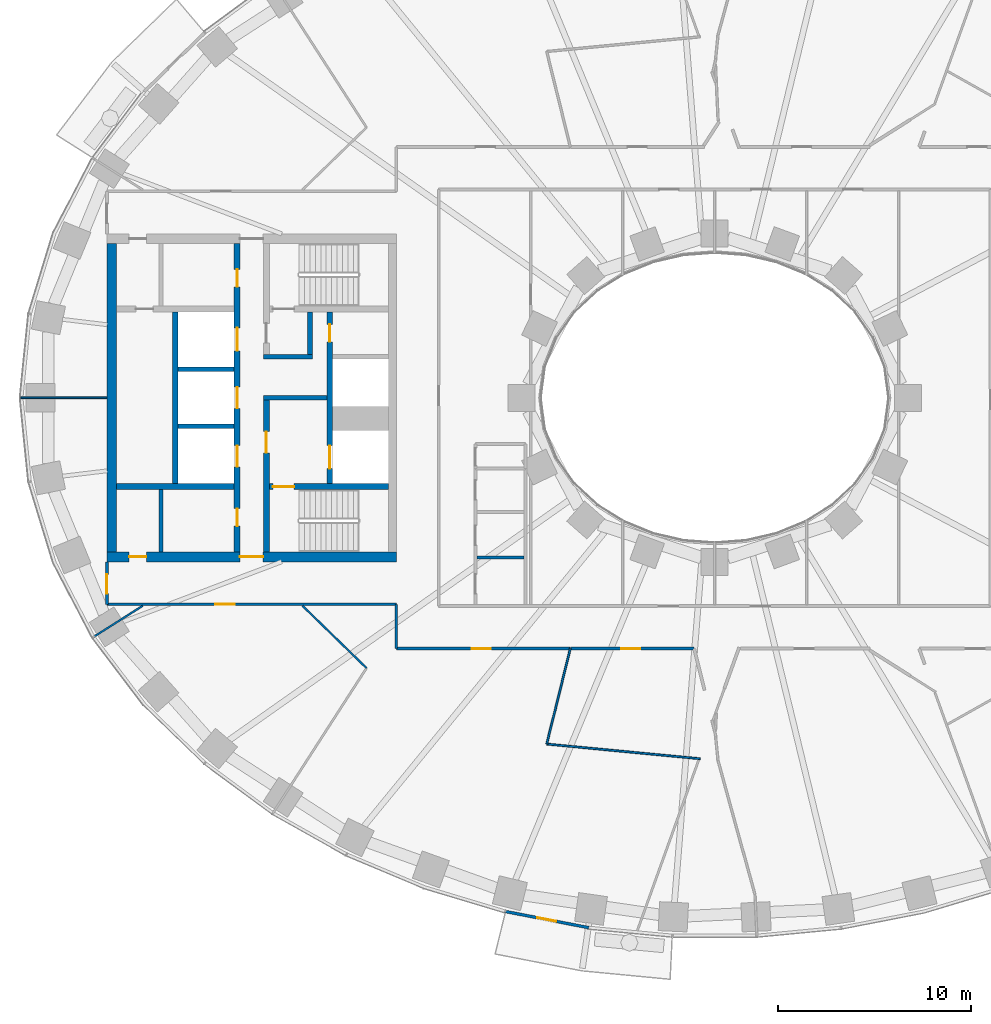
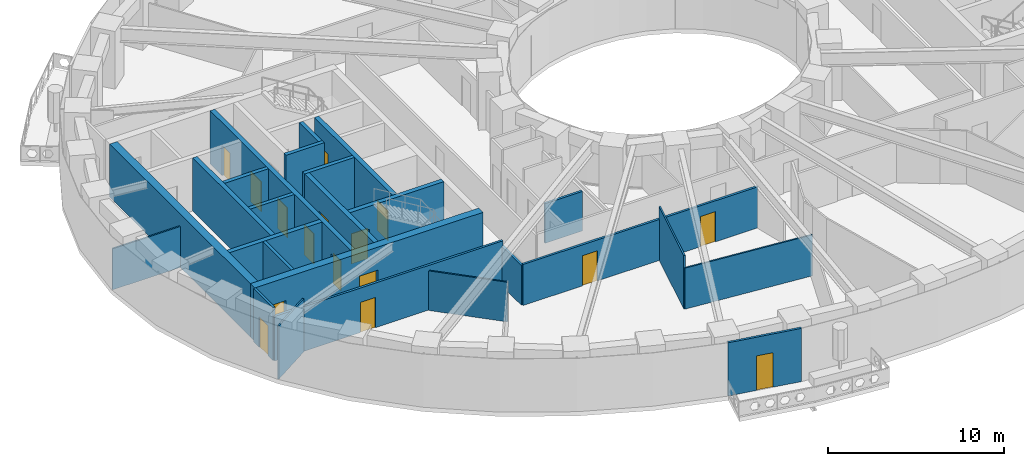
# One storey, part 3 of 16: 26 walls, 16 doors, 16 openings.
"""IFC4 building model written with IfcOpenShell, lengths in metres."""

from ifc_helpers import new_model, si_unit, direction, frame, frame_2d, origin, place, context, subcontext, project, spatial, rectangle, extrude, material, layer, layer_set, type_object, element, fill, save


model = new_model("IFC4")

# Units and contexts
model_context = context("Model", 3, precision=1e-05, world=origin(), true_north=direction((0.0, 1.0)))
body_context = subcontext(model_context, "Body", "Model", "MODEL_VIEW")
ifc_project = project(units=[si_unit("LENGTHUNIT", "METRE"), si_unit("AREAUNIT", "SQUARE_METRE"), si_unit("VOLUMEUNIT", "CUBIC_METRE"), si_unit("PLANEANGLEUNIT", "RADIAN"), si_unit("MASSUNIT", "GRAM", prefix="KILO")], contexts=[model_context])

# Site, building, storey
site_placement = place(None, origin())
site = spatial("IfcSite", under=ifc_project, at=site_placement, CompositionType="ELEMENT")
building_placement = place(site_placement, origin())
building = spatial("IfcBuilding", under=site, at=building_placement, Name="Noorbagh Ring Tower", CompositionType="ELEMENT")
storey_placement = place(building_placement, frame((0.0, 0.0, 46.5)))
storey = spatial("IfcBuildingStorey", under=building, at=storey_placement, Name="L09", CompositionType="ELEMENT", Elevation=46.5)

# Walls
ifc_material_1 = material(Name="Gypsum board on steel studs", Category="steel")
ifc_layer_1 = layer(ifc_material_1, 0.199951171875)
ifc_layer_set_1 = layer_set([ifc_layer_1], Name="Gypsum board on steel studs")
wall_type_1 = type_object("IfcWallType", Name="CORE-PARTITION-200", PredefinedType="PARTITIONING", material=ifc_layer_set_1)
wall_1_placement = place(storey_placement, frame((-28.699951171875, -8.0, 0.0), z_axis=(0.0, 0.0, 1.0), x_axis=(0.0, 1.0, 0.0)))
element("IfcWall", 1, at=wall_1_placement, inside=storey, type_object=wall_type_1, Name="Core partition W", PredefinedType="PARTITIONING", context=body_context, shape_type="SweptSolid", body=[
    extrude(rectangle(XDim=3.25, YDim=0.199951171875, at=frame_2d((1.625, 0.0))), origin(), (0.0, 0.0, 1.0), 3.699951171875),
])
ifc_material_2 = material(Name="Concrete C70/85", Category="concrete")
ifc_layer_2 = layer(ifc_material_2, 0.25)
ifc_layer_set_2 = layer_set([ifc_layer_2], Name="Concrete C70/85")
wall_type_2 = type_object("IfcWallType", Name="CORE-WALL-250-C70-85-EI120", PredefinedType="SHEAR", material=ifc_layer_set_2)
for number, where, z_axis, x_axis, name in (
    (2, (-24.89990234375, -1.47509765625, 0.0), (0.0, 0.0, 1.0), (-1.0, 0.0, 0.0), "Core wall W"),
    (3, (-24.89990234375, 1.47509765625, 0.0), (0.0, 0.0, 1.0), (-1.0, 0.0, 0.0), "Core wall W"),
):
    element("IfcWall", number, at=place(storey_placement, frame(where, z_axis=z_axis, x_axis=x_axis)), inside=storey, type_object=wall_type_2, Name=name, PredefinedType="SHEAR", context=body_context, shape_type="SweptSolid", body=[
        extrude(rectangle(XDim=2.900146484375, YDim=0.25, at=frame_2d((1.4501953125, 0.0))), origin(), (0.0, 0.0, 1.0), 3.699951171875),
    ])
ifc_material_3 = material(Name="Concrete C70/85", Category="concrete")
ifc_layer_3 = layer(ifc_material_3, 0.25)
ifc_layer_set_3 = layer_set([ifc_layer_3], Name="Concrete C70/85")
wall_type_3 = type_object("IfcWallType", Name="CORE-WALL-250-C70-85-EI240", PredefinedType="SHEAR", material=ifc_layer_set_3)
wall_2_placement = place(storey_placement, frame((-20.10009765625, 0.0, 0.0), z_axis=(0.0, 0.0, 1.0), x_axis=(-1.0, 0.0, 0.0)))
element("IfcWall", 4, at=wall_2_placement, inside=storey, type_object=wall_type_3, Name="Core wall W", PredefinedType="SHEAR", context=body_context, shape_type="SweptSolid", body=[
    extrude(rectangle(XDim=3.27978515625, YDim=0.25, at=frame_2d((1.639892578125, 0.0))), origin(), (0.0, 0.0, 1.0), 3.699951171875),
])
wall_3_placement = place(storey_placement, frame((-20.85009765625, 2.125, 0.0), z_axis=(0.0, 0.0, 1.0), x_axis=(-1.0, 0.0, 0.0)))
element("IfcWall", 5, at=wall_3_placement, inside=storey, type_object=wall_type_3, Name="Core wall W", PredefinedType="SHEAR", context=body_context, shape_type="SweptSolid", body=[
    extrude(rectangle(XDim=2.52978515625, YDim=0.25, at=frame_2d((1.264892578125, 0.0))), origin(), (0.0, 0.0, 1.0), 3.699951171875),
])
wall_4_placement = place(storey_placement, frame((-20.97509765625, 2.25, 0.0), z_axis=(0.0, 0.0, 1.0), x_axis=(0.0, 1.0, 0.0)))
element("IfcWall", 6, at=wall_4_placement, inside=storey, type_object=wall_type_3, Name="Core wall W", PredefinedType="SHEAR", context=body_context, shape_type="SweptSolid", body=[
    extrude(rectangle(XDim=2.199951171875, YDim=0.25, at=frame_2d((1.10009765625, 0.0))), origin(), (0.0, 0.0, 1.0), 3.699951171875),
])
ifc_material_4 = material(Name="Concrete C70/85", Category="concrete")
ifc_layer_4 = layer(ifc_material_4, 0.300048828125)
ifc_layer_set_4 = layer_set([ifc_layer_4], Name="Concrete C70/85")
wall_type_4 = type_object("IfcWallType", Name="CORE-WALL-300-C70-85-EI120", PredefinedType="SHEAR", material=ifc_layer_set_4)
wall_5_placement = place(storey_placement, frame((-27.949951171875, -4.449951171875, 0.0), z_axis=(0.0, 0.0, 1.0), x_axis=(0.0, 1.0, 0.0)))
element("IfcWall", 7, at=wall_5_placement, inside=storey, type_object=wall_type_4, Name="Core wall W", PredefinedType="SHEAR", context=body_context, shape_type="SweptSolid", body=[
    extrude(rectangle(XDim=8.89990234375, YDim=0.300048828125, at=frame_2d((4.449951171875, 0.0))), origin(), (0.0, 0.0, 1.0), 3.699951171875),
])

# Wall, openings, doors
wall_6_placement = place(storey_placement, frame((-19.949951171875, -4.449951171875, 0.0), z_axis=(0.0, 0.0, 1.0), x_axis=(0.0, 1.0, 0.0)))
wall_6 = element("IfcWall", 8, at=wall_6_placement, inside=storey, type_object=wall_type_4, Name="Core wall W", PredefinedType="SHEAR", context=body_context, shape_type="SweptSolid", body=[
    extrude(rectangle(XDim=8.89990234375, YDim=0.300048828125, at=frame_2d((4.449951171875, 0.0))), origin(), (0.0, 0.0, 1.0), 3.699951171875),
])
opening_1_placement = place(wall_6_placement, frame((0.77490234375, 0.0, 0.0)))
opening_1 = element("IfcOpeningElement", 9, at=opening_1_placement, cuts=wall_6, Name="Opening L09-CW01", PredefinedType="OPENING", context=body_context, shape_type="SweptSolid", body=[
    extrude(rectangle(XDim=1.199951171875, YDim=2.10009765625, at=frame_2d((0.60009765625, 1.050048828125))), frame((0.0, 0.16015625, 0.0), z_axis=(0.0, -1.0, 0.0), x_axis=(1.0, 0.0, 0.0)), (0.0, 0.0, 1.0), 0.320068359375),
])
opening_2_placement = place(wall_6_placement, frame((7.35009765625, 0.0, 0.0)))
opening_2 = element("IfcOpeningElement", 10, at=opening_2_placement, cuts=wall_6, Name="Opening L09-CW11", PredefinedType="OPENING", context=body_context, shape_type="SweptSolid", body=[
    extrude(rectangle(XDim=0.89990234375, YDim=2.10009765625, at=frame_2d((0.449951171875, 1.050048828125))), frame((0.0, 0.16015625, 0.0), z_axis=(0.0, -1.0, 0.0), x_axis=(1.0, 0.0, 0.0)), (0.0, 0.0, 1.0), 0.320068359375),
])
ifc_material_5 = material(Name="Steel door leaf", Category="steel")
door_type_1 = type_object("IfcDoorType", Name="CORE-DOOR-DROOM", OperationType="SINGLE_SWING_LEFT", PredefinedType="DOOR", material=ifc_material_5)
door_1_placement = place(opening_2_placement, origin())
door_1 = element("IfcDoor", 11, at=door_1_placement, inside=storey, type_object=door_type_1, Name="Core room door L09-CW11", OperationType="SINGLE_SWING_LEFT", OverallHeight=2.10009765625, OverallWidth=0.89990234375, PredefinedType="DOOR", context=body_context, shape_type="SweptSolid", body=[
    extrude(rectangle(XDim=0.89990234375, YDim=2.10009765625, at=frame_2d((0.449951171875, 1.050048828125))), frame((0.0, 0.02490234375, 0.0), z_axis=(0.0, -1.0, 0.0), x_axis=(1.0, 0.0, 0.0)), (0.0, 0.0, 1.0), 0.050048828125),
])
fill(opening_2, door_1)
ifc_material_6 = material(Name="Steel door leaf", Category="steel")
door_type_2 = type_object("IfcDoorType", Name="CORE-DOOR-LDW", OperationType="DOUBLE_DOOR_SLIDING", PredefinedType="DOOR", material=ifc_material_6)
door_2_placement = place(opening_1_placement, origin())
door_2 = element("IfcDoor", 12, at=door_2_placement, inside=storey, type_object=door_type_2, Name="Landing door FF1 L09-CW01", OperationType="DOUBLE_DOOR_SLIDING", OverallHeight=2.10009765625, OverallWidth=1.199951171875, PredefinedType="DOOR", context=body_context, shape_type="SweptSolid", body=[
    extrude(rectangle(XDim=1.199951171875, YDim=2.10009765625, at=frame_2d((0.60009765625, 1.050048828125))), frame((0.0, 0.02490234375, 0.0), z_axis=(0.0, -1.0, 0.0), x_axis=(1.0, 0.0, 0.0)), (0.0, 0.0, 1.0), 0.050048828125),
])
fill(opening_1, door_2)

wall_7_placement = place(storey_placement, frame((-24.75, -8.0, 0.0), z_axis=(0.0, 0.0, 1.0), x_axis=(0.0, 1.0, 0.0)))
wall_7 = element("IfcWall", 13, at=wall_7_placement, inside=storey, type_object=wall_type_4, Name="Core wall W", PredefinedType="SHEAR", context=body_context, shape_type="SweptSolid", body=[
    extrude(rectangle(XDim=16.0, YDim=0.300048828125, at=frame_2d((8.0, 0.0))), origin(), (0.0, 0.0, 1.0), 3.699951171875),
])
opening_3_placement = place(wall_7_placement, frame((4.425048828125, 0.0, 0.0)))
opening_3 = element("IfcOpeningElement", 14, at=opening_3_placement, cuts=wall_7, Name="Opening L09-CW02", PredefinedType="OPENING", context=body_context, shape_type="SweptSolid", body=[
    extrude(rectangle(XDim=1.10009765625, YDim=2.10009765625, at=frame_2d((0.550048828125, 1.050048828125))), frame((0.0, 0.16015625, 0.0), z_axis=(0.0, -1.0, 0.0), x_axis=(1.0, 0.0, 0.0)), (0.0, 0.0, 1.0), 0.320068359375),
])
opening_4_placement = place(wall_7_placement, frame((7.449951171875, 0.0, 0.0)))
opening_4 = element("IfcOpeningElement", 15, at=opening_4_placement, cuts=wall_7, Name="Opening L09-CW03", PredefinedType="OPENING", context=body_context, shape_type="SweptSolid", body=[
    extrude(rectangle(XDim=1.10009765625, YDim=2.10009765625, at=frame_2d((0.550048828125, 1.050048828125))), frame((0.0, 0.16015625, 0.0), z_axis=(0.0, -1.0, 0.0), x_axis=(1.0, 0.0, 0.0)), (0.0, 0.0, 1.0), 0.320068359375),
])
opening_5_placement = place(wall_7_placement, frame((10.425048828125, 0.0, 0.0)))
opening_5 = element("IfcOpeningElement", 16, at=opening_5_placement, cuts=wall_7, Name="Opening L09-CW04", PredefinedType="OPENING", context=body_context, shape_type="SweptSolid", body=[
    extrude(rectangle(XDim=1.199951171875, YDim=2.10009765625, at=frame_2d((0.60009765625, 1.050048828125))), frame((0.0, 0.16015625, 0.0), z_axis=(0.0, -1.0, 0.0), x_axis=(1.0, 0.0, 0.0)), (0.0, 0.0, 1.0), 0.320068359375),
])
opening_6_placement = place(wall_7_placement, frame((13.75, 0.0, 0.0)))
opening_6 = element("IfcOpeningElement", 17, at=opening_6_placement, cuts=wall_7, Name="Opening L09-CW12", PredefinedType="OPENING", context=body_context, shape_type="SweptSolid", body=[
    extrude(rectangle(XDim=0.89990234375, YDim=2.10009765625, at=frame_2d((0.449951171875, 1.050048828125))), frame((0.0, 0.16015625, 0.0), z_axis=(0.0, -1.0, 0.0), x_axis=(1.0, 0.0, 0.0)), (0.0, 0.0, 1.0), 0.320068359375),
])
opening_7_placement = place(wall_7_placement, frame((1.35009765625, 0.0, 0.0)))
opening_7 = element("IfcOpeningElement", 18, at=opening_7_placement, cuts=wall_7, Name="Opening L09-CW14", PredefinedType="OPENING", context=body_context, shape_type="SweptSolid", body=[
    extrude(rectangle(XDim=0.89990234375, YDim=2.10009765625, at=frame_2d((0.449951171875, 1.050048828125))), frame((0.0, 0.16015625, 0.0), z_axis=(0.0, -1.0, 0.0), x_axis=(1.0, 0.0, 0.0)), (0.0, 0.0, 1.0), 0.320068359375),
])
door_3_placement = place(opening_6_placement, origin())
door_3 = element("IfcDoor", 19, at=door_3_placement, inside=storey, type_object=door_type_1, Name="Core room door L09-CW12", OperationType="SINGLE_SWING_RIGHT", OverallHeight=2.10009765625, OverallWidth=0.89990234375, PredefinedType="DOOR", context=body_context, shape_type="SweptSolid", body=[
    extrude(rectangle(XDim=0.89990234375, YDim=2.10009765625, at=frame_2d((0.449951171875, 1.050048828125))), frame((0.0, 0.02490234375, 0.0), z_axis=(0.0, -1.0, 0.0), x_axis=(1.0, 0.0, 0.0)), (0.0, 0.0, 1.0), 0.050048828125),
])
fill(opening_6, door_3)
door_4_placement = place(opening_7_placement, origin())
door_4 = element("IfcDoor", 20, at=door_4_placement, inside=storey, type_object=door_type_1, Name="Core room door L09-CW14", OperationType="SINGLE_SWING_LEFT", OverallHeight=2.10009765625, OverallWidth=0.89990234375, PredefinedType="DOOR", context=body_context, shape_type="SweptSolid", body=[
    extrude(rectangle(XDim=0.89990234375, YDim=2.10009765625, at=frame_2d((0.449951171875, 1.050048828125))), frame((0.0, 0.02490234375, 0.0), z_axis=(0.0, -1.0, 0.0), x_axis=(1.0, 0.0, 0.0)), (0.0, 0.0, 1.0), 0.050048828125),
])
fill(opening_7, door_4)
ifc_material_7 = material(Name="Steel door leaf", Category="steel")
door_type_3 = type_object("IfcDoorType", Name="CORE-DOOR-LD", OperationType="DOUBLE_DOOR_SLIDING", PredefinedType="DOOR", material=ifc_material_7)
door_5_placement = place(opening_3_placement, origin())
door_5 = element("IfcDoor", 21, at=door_5_placement, inside=storey, type_object=door_type_3, Name="Landing door LR1 L09-CW02", OperationType="DOUBLE_DOOR_SLIDING", OverallHeight=2.10009765625, OverallWidth=1.10009765625, PredefinedType="DOOR", context=body_context, shape_type="SweptSolid", body=[
    extrude(rectangle(XDim=1.10009765625, YDim=2.10009765625, at=frame_2d((0.550048828125, 1.050048828125))), frame((0.0, 0.02490234375, 0.0), z_axis=(0.0, -1.0, 0.0), x_axis=(1.0, 0.0, 0.0)), (0.0, 0.0, 1.0), 0.050048828125),
])
fill(opening_3, door_5)
door_6_placement = place(opening_4_placement, origin())
door_6 = element("IfcDoor", 22, at=door_6_placement, inside=storey, type_object=door_type_3, Name="Landing door LR2 L09-CW03", OperationType="DOUBLE_DOOR_SLIDING", OverallHeight=2.10009765625, OverallWidth=1.10009765625, PredefinedType="DOOR", context=body_context, shape_type="SweptSolid", body=[
    extrude(rectangle(XDim=1.10009765625, YDim=2.10009765625, at=frame_2d((0.550048828125, 1.050048828125))), frame((0.0, 0.02490234375, 0.0), z_axis=(0.0, -1.0, 0.0), x_axis=(1.0, 0.0, 0.0)), (0.0, 0.0, 1.0), 0.050048828125),
])
fill(opening_4, door_6)
door_7_placement = place(opening_5_placement, origin())
door_7 = element("IfcDoor", 23, at=door_7_placement, inside=storey, type_object=door_type_2, Name="Landing door SV1 L09-CW04", OperationType="DOUBLE_DOOR_SLIDING", OverallHeight=2.10009765625, OverallWidth=1.199951171875, PredefinedType="DOOR", context=body_context, shape_type="SweptSolid", body=[
    extrude(rectangle(XDim=1.199951171875, YDim=2.10009765625, at=frame_2d((0.60009765625, 1.050048828125))), frame((0.0, 0.02490234375, 0.0), z_axis=(0.0, -1.0, 0.0), x_axis=(1.0, 0.0, 0.0)), (0.0, 0.0, 1.0), 0.050048828125),
])
fill(opening_5, door_7)

# Wall
ifc_material_8 = material(Name="Concrete C70/85", Category="concrete")
ifc_layer_5 = layer(ifc_material_8, 0.300048828125)
ifc_layer_set_5 = layer_set([ifc_layer_5], Name="Concrete C70/85")
wall_type_5 = type_object("IfcWallType", Name="CORE-WALL-300-C70-85-EI240", PredefinedType="SHEAR", material=ifc_layer_set_5)
wall_8_placement = place(storey_placement, frame((-24.89990234375, -4.60009765625, 0.0), z_axis=(0.0, 0.0, 1.0), x_axis=(-1.0, 0.0, 0.0)))
element("IfcWall", 24, at=wall_8_placement, inside=storey, type_object=wall_type_5, Name="Core wall W", PredefinedType="SHEAR", context=body_context, shape_type="SweptSolid", body=[
    extrude(rectangle(XDim=6.10009765625, YDim=0.300048828125, at=frame_2d((3.050048828125, 0.0))), origin(), (0.0, 0.0, 1.0), 3.699951171875),
])

# Wall, opening, door
wall_9_placement = place(storey_placement, frame((-23.22998046875, -8.0, 0.0), z_axis=(0.0, 0.0, 1.0), x_axis=(0.0, 1.0, 0.0)))
wall_9 = element("IfcWall", 25, at=wall_9_placement, inside=storey, type_object=wall_type_5, Name="Core wall W", PredefinedType="SHEAR", context=body_context, shape_type="SweptSolid", body=[
    extrude(rectangle(XDim=7.875, YDim=0.300048828125, at=frame_2d((3.9375, 0.0))), origin(), (0.0, 0.0, 1.0), 3.699951171875),
])
opening_8_placement = place(wall_9_placement, frame((5.14990234375, 0.0, 0.0)))
opening_8 = element("IfcOpeningElement", 26, at=opening_8_placement, cuts=wall_9, Name="Opening L09-CW07", PredefinedType="OPENING", context=body_context, shape_type="SweptSolid", body=[
    extrude(rectangle(XDim=1.10009765625, YDim=2.10009765625, at=frame_2d((0.550048828125, 1.050048828125))), frame((0.0, 0.16015625, 0.0), z_axis=(0.0, -1.0, 0.0), x_axis=(1.0, 0.0, 0.0)), (0.0, 0.0, 1.0), 0.320068359375),
])
ifc_material_9 = material(Name="Steel door leaf", Category="steel")
door_type_4 = type_object("IfcDoorType", Name="CORE-DOOR-DFF", OperationType="SINGLE_SWING_LEFT", PredefinedType="DOOR", material=ifc_material_9)
door_8_placement = place(opening_8_placement, origin())
door_8 = element("IfcDoor", 27, at=door_8_placement, inside=storey, type_object=door_type_4, Name="Firefighting lobby door L09-CW07", OperationType="SINGLE_SWING_LEFT", OverallHeight=2.10009765625, OverallWidth=1.10009765625, PredefinedType="DOOR", context=body_context, shape_type="SweptSolid", body=[
    extrude(rectangle(XDim=1.10009765625, YDim=2.10009765625, at=frame_2d((0.550048828125, 1.050048828125))), frame((0.0, 0.02490234375, 0.0), z_axis=(0.0, -1.0, 0.0), x_axis=(1.0, 0.0, 0.0)), (0.0, 0.0, 1.0), 0.050048828125),
])
fill(opening_8, door_8)

wall_10_placement = place(storey_placement, frame((-16.89990234375, -4.60009765625, 0.0), z_axis=(0.0, 0.0, 1.0), x_axis=(-1.0, 0.0, 0.0)))
wall_10 = element("IfcWall", 28, at=wall_10_placement, inside=storey, type_object=wall_type_5, Name="Core wall W", PredefinedType="SHEAR", context=body_context, shape_type="SweptSolid", body=[
    extrude(rectangle(XDim=6.18017578125, YDim=0.300048828125, at=frame_2d((3.090087890625, 0.0))), origin(), (0.0, 0.0, 1.0), 3.699951171875),
])
opening_9_placement = place(wall_10_placement, frame((4.89990234375, 0.0, 0.0)))
opening_9 = element("IfcOpeningElement", 29, at=opening_9_placement, cuts=wall_10, Name="Opening L09-CW06", PredefinedType="OPENING", context=body_context, shape_type="SweptSolid", body=[
    extrude(rectangle(XDim=1.10009765625, YDim=2.10009765625, at=frame_2d((0.550048828125, 1.050048828125))), frame((0.0, 0.16015625, 0.0), z_axis=(0.0, -1.0, 0.0), x_axis=(1.0, 0.0, 0.0)), (0.0, 0.0, 1.0), 0.320068359375),
])
ifc_material_10 = material(Name="Steel door leaf", Category="steel")
door_type_5 = type_object("IfcDoorType", Name="CORE-DOOR-DSTAIR", OperationType="SINGLE_SWING_LEFT", PredefinedType="DOOR", material=ifc_material_10)
door_9_placement = place(opening_9_placement, origin())
door_9 = element("IfcDoor", 30, at=door_9_placement, inside=storey, type_object=door_type_5, Name="Stair door ST2 L09-CW06", OperationType="SINGLE_SWING_LEFT", OverallHeight=2.10009765625, OverallWidth=1.10009765625, PredefinedType="DOOR", context=body_context, shape_type="SweptSolid", body=[
    extrude(rectangle(XDim=1.10009765625, YDim=2.10009765625, at=frame_2d((0.550048828125, 1.050048828125))), frame((0.0, 0.02490234375, 0.0), z_axis=(0.0, -1.0, 0.0), x_axis=(1.0, 0.0, 0.0)), (0.0, 0.0, 1.0), 0.050048828125),
])
fill(opening_9, door_9)

# Wall, openings, doors
ifc_material_11 = material(Name="Concrete C70/85", Category="concrete")
ifc_layer_6 = layer(ifc_material_11, 0.5)
ifc_layer_set_6 = layer_set([ifc_layer_6], Name="Concrete C70/85")
wall_type_6 = type_object("IfcWallType", Name="CORE-WALL-500-C70-85-EI240", PredefinedType="SHEAR", material=ifc_layer_set_6)
wall_11_placement = place(storey_placement, frame((-16.5, -8.25, 0.0), z_axis=(0.0, 0.0, 1.0), x_axis=(-1.0, 0.0, 0.0)))
wall_11 = element("IfcWall", 31, at=wall_11_placement, inside=storey, type_object=wall_type_6, Name="Core wall W", PredefinedType="SHEAR", context=body_context, shape_type="SweptSolid", body=[
    extrude(rectangle(XDim=15.0, YDim=0.5, at=frame_2d((7.5, 0.0))), origin(), (0.0, 0.0, 1.0), 3.699951171875),
])
opening_10_placement = place(wall_11_placement, frame((6.89990234375, 0.0, 0.0)))
opening_10 = element("IfcOpeningElement", 32, at=opening_10_placement, cuts=wall_11, Name="Opening L09-CW10", PredefinedType="OPENING", context=body_context, shape_type="SweptSolid", body=[
    extrude(rectangle(XDim=1.199951171875, YDim=2.10009765625, at=frame_2d((0.60009765625, 1.050048828125))), frame((0.0, 0.260009765625, 0.0), z_axis=(0.0, -1.0, 0.0), x_axis=(1.0, 0.0, 0.0)), (0.0, 0.0, 1.0), 0.52001953125),
])
opening_11_placement = place(wall_11_placement, frame((12.949951171875, 0.0, 0.0)))
opening_11 = element("IfcOpeningElement", 33, at=opening_11_placement, cuts=wall_11, Name="Opening L09-CW15", PredefinedType="OPENING", context=body_context, shape_type="SweptSolid", body=[
    extrude(rectangle(XDim=0.89990234375, YDim=2.10009765625, at=frame_2d((0.449951171875, 1.050048828125))), frame((0.0, 0.260009765625, 0.0), z_axis=(0.0, -1.0, 0.0), x_axis=(1.0, 0.0, 0.0)), (0.0, 0.0, 1.0), 0.52001953125),
])
door_10_placement = place(opening_11_placement, origin())
door_10 = element("IfcDoor", 34, at=door_10_placement, inside=storey, type_object=door_type_1, Name="Core room door L09-CW15", OperationType="SINGLE_SWING_LEFT", OverallHeight=2.10009765625, OverallWidth=0.89990234375, PredefinedType="DOOR", context=body_context, shape_type="SweptSolid", body=[
    extrude(rectangle(XDim=0.89990234375, YDim=2.10009765625, at=frame_2d((0.449951171875, 1.050048828125))), frame((0.0, 0.02490234375, 0.0), z_axis=(0.0, -1.0, 0.0), x_axis=(1.0, 0.0, 0.0)), (0.0, 0.0, 1.0), 0.050048828125),
])
fill(opening_11, door_10)
ifc_material_12 = material(Name="Steel door leaf", Category="steel")
door_type_6 = type_object("IfcDoorType", Name="CORE-DOOR-PORT", OperationType="DOUBLE_DOOR_DOUBLE_SWING", PredefinedType="DOOR", material=ifc_material_12)
door_11_placement = place(opening_10_placement, origin())
door_11 = element("IfcDoor", 35, at=door_11_placement, inside=storey, type_object=door_type_6, Name="Core entrance door L09-CW10", OperationType="DOUBLE_DOOR_DOUBLE_SWING", OverallHeight=2.10009765625, OverallWidth=1.199951171875, PredefinedType="DOOR", context=body_context, shape_type="SweptSolid", body=[
    extrude(rectangle(XDim=1.199951171875, YDim=2.10009765625, at=frame_2d((0.60009765625, 1.050048828125))), frame((0.0, 0.02490234375, 0.0), z_axis=(0.0, -1.0, 0.0), x_axis=(1.0, 0.0, 0.0)), (0.0, 0.0, 1.0), 0.050048828125),
])
fill(opening_10, door_11)

# Wall
wall_12_placement = place(storey_placement, frame((-31.25, -8.0, 0.0), z_axis=(0.0, 0.0, 1.0), x_axis=(0.0, 1.0, 0.0)))
element("IfcWall", 36, at=wall_12_placement, inside=storey, type_object=wall_type_6, Name="Core wall W", PredefinedType="SHEAR", context=body_context, shape_type="SweptSolid", body=[
    extrude(rectangle(XDim=16.0, YDim=0.5, at=frame_2d((8.0, 0.0))), origin(), (0.0, 0.0, 1.0), 3.699951171875),
])

# Wall, opening, door
ifc_material_13 = material(Name="Gypsum board on steel studs", Category="steel")
ifc_layer_7 = layer(ifc_material_13, 0.14990234375)
ifc_layer_set_7 = layer_set([ifc_layer_7], Name="Gypsum board on steel studs")
wall_type_7 = type_object("IfcWallType", Name="CORRIDOR PARTITION 150 EI 30", PredefinedType="PARTITIONING", material=ifc_layer_set_7)
wall_13_placement = place(storey_placement, frame((-31.5, -10.699951171875, 0.0), z_axis=(0.0, 0.0, 1.0), x_axis=(0.0, 1.0, 0.0)))
wall_13 = element("IfcWall", 37, at=wall_13_placement, inside=storey, type_object=wall_type_7, Name="L09/wall/P04", PredefinedType="PARTITIONING", context=body_context, shape_type="SweptSolid", body=[
    extrude(rectangle(XDim=2.199951171875, YDim=0.14990234375, at=frame_2d((1.10009765625, 0.0))), origin(), (0.0, 0.0, 1.0), 3.699951171875),
])
opening_12_placement = place(wall_13_placement, frame((0.550048828125, 0.0, 0.0)))
opening_12 = element("IfcOpeningElement", 38, at=opening_12_placement, cuts=wall_13, Name="Opening D1", PredefinedType="OPENING", context=body_context, shape_type="SweptSolid", body=[
    extrude(rectangle(XDim=1.0, YDim=2.10009765625, at=frame_2d((0.5, 1.050048828125))), frame((0.0, 0.0849609375, 0.0), z_axis=(0.0, -1.0, 0.0), x_axis=(1.0, 0.0, 0.0)), (0.0, 0.0, 1.0), 0.169921875),
])
ifc_material_14 = material(Name="Timber, painted", Category="wood")
door_type_7 = type_object("IfcDoorType", Name="DOOR 1000 X 2100 FD30", OperationType="SINGLE_SWING_LEFT", PredefinedType="DOOR", material=ifc_material_14)
door_12_placement = place(opening_12_placement, origin())
door_12 = element("IfcDoor", 39, at=door_12_placement, inside=storey, type_object=door_type_7, Name="L09-D06", OperationType="SINGLE_SWING_RIGHT", OverallHeight=2.10009765625, OverallWidth=1.0, PredefinedType="DOOR", context=body_context, shape_type="SweptSolid", body=[
    extrude(rectangle(XDim=1.0, YDim=2.10009765625, at=frame_2d((0.5, 1.050048828125))), frame((0.0, 0.02490234375, 0.0), z_axis=(0.0, -1.0, 0.0), x_axis=(1.0, 0.0, 0.0)), (0.0, 0.0, 1.0), 0.050048828125),
])
fill(opening_12, door_12)

wall_14_placement = place(storey_placement, frame((-31.5, -10.699951171875, 0.0), z_axis=(0.0, 0.0, 1.0), x_axis=(1.0, 0.0, 0.0)))
wall_14 = element("IfcWall", 40, at=wall_14_placement, inside=storey, type_object=wall_type_7, Name="L09/wall/P05", PredefinedType="PARTITIONING", context=body_context, shape_type="SweptSolid", body=[
    extrude(rectangle(XDim=15.0, YDim=0.14990234375, at=frame_2d((7.5, 0.0))), origin(), (0.0, 0.0, 1.0), 3.10009765625),
])
opening_13_placement = place(wall_14_placement, frame((5.62890625, 0.0, 0.0)))
opening_13 = element("IfcOpeningElement", 41, at=opening_13_placement, cuts=wall_14, Name="Opening D1", PredefinedType="OPENING", context=body_context, shape_type="SweptSolid", body=[
    extrude(rectangle(XDim=1.0, YDim=2.10009765625, at=frame_2d((0.5, 1.050048828125))), frame((0.0, 0.0849609375, 0.0), z_axis=(0.0, -1.0, 0.0), x_axis=(1.0, 0.0, 0.0)), (0.0, 0.0, 1.0), 0.169921875),
])
door_13_placement = place(opening_13_placement, origin())
door_13 = element("IfcDoor", 42, at=door_13_placement, inside=storey, type_object=door_type_7, Name="L09-D08", OperationType="SINGLE_SWING_RIGHT", OverallHeight=2.10009765625, OverallWidth=1.0, PredefinedType="DOOR", context=body_context, shape_type="SweptSolid", body=[
    extrude(rectangle(XDim=1.0, YDim=2.10009765625, at=frame_2d((0.5, 1.050048828125))), frame((0.0, 0.02490234375, 0.0), z_axis=(0.0, -1.0, 0.0), x_axis=(1.0, 0.0, 0.0)), (0.0, 0.0, 1.0), 0.050048828125),
])
fill(opening_13, door_13)

# Wall
wall_15_placement = place(storey_placement, frame((-16.5, -13.0, 0.0), z_axis=(0.0, 0.0, 1.0), x_axis=(0.0, 1.0, 0.0)))
element("IfcWall", 43, at=wall_15_placement, inside=storey, type_object=wall_type_7, Name="L09/wall/P12", PredefinedType="PARTITIONING", context=body_context, shape_type="SweptSolid", body=[
    extrude(rectangle(XDim=2.300048828125, YDim=0.14990234375, at=frame_2d((1.14990234375, 0.0))), origin(), (0.0, 0.0, 1.0), 2.75),
])

# Wall, opening, door
wall_16_placement = place(storey_placement, frame((-16.5, -13.0, 0.0), z_axis=(0.0, 0.0, 1.0), x_axis=(1.0, 0.0, 0.0)))
wall_16 = element("IfcWall", 44, at=wall_16_placement, inside=storey, type_object=wall_type_7, Name="L09/wall/P13", PredefinedType="PARTITIONING", context=body_context, shape_type="SweptSolid", body=[
    extrude(rectangle(XDim=9.0009765625, YDim=0.14990234375, at=frame_2d((4.50048828125, 0.0))), origin(), (0.0, 0.0, 1.0), 2.85009765625),
])
opening_14_placement = place(wall_16_placement, frame((3.89990234375, 0.0, 0.0)))
opening_14 = element("IfcOpeningElement", 45, at=opening_14_placement, cuts=wall_16, Name="Opening D1", PredefinedType="OPENING", context=body_context, shape_type="SweptSolid", body=[
    extrude(rectangle(XDim=1.0, YDim=2.10009765625, at=frame_2d((0.5, 1.050048828125))), frame((0.0, 0.0849609375, 0.0), z_axis=(0.0, -1.0, 0.0), x_axis=(1.0, 0.0, 0.0)), (0.0, 0.0, 1.0), 0.169921875),
])
door_14_placement = place(opening_14_placement, origin())
door_14 = element("IfcDoor", 46, at=door_14_placement, inside=storey, type_object=door_type_7, Name="L09-D10", OperationType="SINGLE_SWING_RIGHT", OverallHeight=2.10009765625, OverallWidth=1.0, PredefinedType="DOOR", context=body_context, shape_type="SweptSolid", body=[
    extrude(rectangle(XDim=1.0, YDim=2.10009765625, at=frame_2d((0.5, 1.050048828125))), frame((0.0, 0.02490234375, 0.0), z_axis=(0.0, -1.0, 0.0), x_axis=(1.0, 0.0, 0.0)), (0.0, 0.0, 1.0), 0.050048828125),
])
fill(opening_14, door_14)

# Wall
wall_17_placement = place(storey_placement, frame((-12.324951171875, -8.280029296875, 0.0), z_axis=(0.0, 0.0, 1.0), x_axis=(1.0, 0.0, 0.0)))
element("IfcWall", 47, at=wall_17_placement, inside=storey, type_object=wall_type_7, Name="L09/wall/P20", PredefinedType="PARTITIONING", context=body_context, shape_type="SweptSolid", body=[
    extrude(rectangle(XDim=2.449951171875, YDim=0.14990234375, at=frame_2d((1.22509765625, 0.0))), origin(), (0.0, 0.0, 1.0), 2.75),
])

# Wall, opening, door
wall_18_placement = place(storey_placement, frame((-7.48291015625, -13.0, 0.0), z_axis=(0.0, 0.0, 1.0), x_axis=(1.0, 0.0, 0.0)))
wall_18 = element("IfcWall", 48, at=wall_18_placement, inside=storey, type_object=wall_type_7, Name="L09/wall/P32", PredefinedType="PARTITIONING", context=body_context, shape_type="SweptSolid", body=[
    extrude(rectangle(XDim=6.421875, YDim=0.14990234375, at=frame_2d((3.2109375, 0.0))), origin(), (0.0, 0.0, 1.0), 2.85009765625),
])
opening_15_placement = place(wall_18_placement, frame((2.634033203125, 0.0, 0.0)))
opening_15 = element("IfcOpeningElement", 49, at=opening_15_placement, cuts=wall_18, Name="Opening D1", PredefinedType="OPENING", context=body_context, shape_type="SweptSolid", body=[
    extrude(rectangle(XDim=1.0, YDim=2.10009765625, at=frame_2d((0.5, 1.050048828125))), frame((0.0, 0.0849609375, 0.0), z_axis=(0.0, -1.0, 0.0), x_axis=(1.0, 0.0, 0.0)), (0.0, 0.0, 1.0), 0.169921875),
])
door_15_placement = place(opening_15_placement, origin())
door_15 = element("IfcDoor", 50, at=door_15_placement, inside=storey, type_object=door_type_7, Name="L09-D12", OperationType="SINGLE_SWING_RIGHT", OverallHeight=2.10009765625, OverallWidth=1.0, PredefinedType="DOOR", context=body_context, shape_type="SweptSolid", body=[
    extrude(rectangle(XDim=1.0, YDim=2.10009765625, at=frame_2d((0.5, 1.050048828125))), frame((0.0, 0.02490234375, 0.0), z_axis=(0.0, -1.0, 0.0), x_axis=(1.0, 0.0, 0.0)), (0.0, 0.0, 1.0), 0.050048828125),
])
fill(opening_15, door_15)

ifc_material_15 = material(Name="Insulated aluminium clad panel", Category="aluminium")
ifc_layer_8 = layer(ifc_material_15, 0.14990234375)
ifc_layer_set_8 = layer_set([ifc_layer_8], Name="Insulated aluminium clad panel")
wall_type_8 = type_object("IfcWallType", Name="ENV-WALL-DOOR", PredefinedType="STANDARD", material=ifc_layer_set_8)
wall_19_placement = place(storey_placement, frame((-10.87060546875, -26.616943359375, 0.0), z_axis=(0.0, 0.0, 1.0), x_axis=(0.981631174778, -0.190788460615, 0.0)))
wall_19 = element("IfcWall", 51, at=wall_19_placement, inside=storey, type_object=wall_type_8, Name="Balcony door wall chord 33", PredefinedType="STANDARD", context=body_context, shape_type="SweptSolid", body=[
    extrude(rectangle(XDim=4.42626953125, YDim=0.14990234375, at=frame_2d((2.213134765625, 0.0))), origin(), (0.0, 0.0, 1.0), 3.699951171875),
])
opening_16_placement = place(wall_19_placement, frame((1.713134765625, 0.0, 0.0)))
opening_16 = element("IfcOpeningElement", 52, at=opening_16_placement, cuts=wall_19, Name="Opening D-BL", PredefinedType="OPENING", context=body_context, shape_type="SweptSolid", body=[
    extrude(rectangle(XDim=1.0, YDim=2.39990234375, at=frame_2d((0.5, 1.199951171875))), frame((0.0, 0.0849609375, 0.0), z_axis=(0.0, -1.0, 0.0), x_axis=(1.0, 0.0, 0.0)), (0.0, 0.0, 1.0), 0.169921875),
])
ifc_material_16 = material(Name="Aluminium and glass", Category="aluminium")
door_type_8 = type_object("IfcDoorType", Name="ENV-DOOR-BALCONY", OperationType="SINGLE_SWING_LEFT", PredefinedType="DOOR", material=ifc_material_16)
door_16_placement = place(opening_16_placement, origin())
door_16 = element("IfcDoor", 53, at=door_16_placement, inside=storey, type_object=door_type_8, Name="Balcony door chord 33", OperationType="SINGLE_SWING_RIGHT", OverallHeight=2.39990234375, OverallWidth=1.0, PredefinedType="DOOR", context=body_context, shape_type="SweptSolid", body=[
    extrude(rectangle(XDim=1.0, YDim=2.39990234375, at=frame_2d((0.5, 1.199951171875))), frame((0.0, 0.02490234375, 0.0), z_axis=(0.0, -1.0, 0.0), x_axis=(1.0, 0.0, 0.0)), (0.0, 0.0, 1.0), 0.050048828125),
])
fill(opening_16, door_16)

# Walls
ifc_material_17 = material(Name="Gypsum board on steel studs", Category="steel")
ifc_layer_9 = layer(ifc_material_17, 0.10009765625)
ifc_layer_set_9 = layer_set([ifc_layer_9], Name="Gypsum board on steel studs")
wall_type_9 = type_object("IfcWallType", Name="PARTITION 100 GYPSUM", PredefinedType="PARTITIONING", material=ifc_layer_set_9)
wall_20_placement = place(storey_placement, frame((-35.948974609375, 0.0, 0.0), z_axis=(0.0, 0.0, 1.0), x_axis=(1.0, 0.0, 0.0)))
element("IfcWall", 54, at=wall_20_placement, inside=storey, type_object=wall_type_9, Name="L09/wall/P01", PredefinedType="PARTITIONING", context=body_context, shape_type="SweptSolid", body=[
    extrude(rectangle(XDim=4.448974609375, YDim=0.10009765625, at=frame_2d((2.224609375, 0.0))), origin(), (0.0, 0.0, 1.0), 2.85009765625),
])
wall_21_placement = place(storey_placement, frame((-32.2119140625, -12.407958984375, 0.0), z_axis=(0.0, 0.0, 1.0), x_axis=(0.844810627195, 0.535065420467, 0.0)))
element("IfcWall", 55, at=wall_21_placement, inside=storey, type_object=wall_type_9, Name="L09/wall/P02", PredefinedType="PARTITIONING", context=body_context, shape_type="SweptSolid", body=[
    extrude(rectangle(XDim=3.0478515625, YDim=0.10009765625, at=frame_2d((1.52392578125, 0.0))), origin(), (0.0, 0.0, 1.0), 3.699951171875),
])
wall_22_placement = place(storey_placement, frame((-21.362060546875, -10.778076171875, 0.0), z_axis=(0.0, 0.0, 1.0), x_axis=(0.716869759063, -0.697207105917, 0.0)))
element("IfcWall", 56, at=wall_22_placement, inside=storey, type_object=wall_type_9, Name="L09/wall/P10", PredefinedType="PARTITIONING", context=body_context, shape_type="SweptSolid", body=[
    extrude(rectangle(XDim=4.63134765625, YDim=0.10009765625, at=frame_2d((2.315673828125, 0.0))), origin(), (0.0, 0.0, 1.0), 2.75),
])
wall_23_placement = place(storey_placement, frame((-8.7041015625, -17.946044921875, 0.0), z_axis=(0.0, 0.0, 1.0), x_axis=(0.239704393154, 0.970845921814, 0.0)))
element("IfcWall", 57, at=wall_23_placement, inside=storey, type_object=wall_type_9, Name="L09/wall/P28", PredefinedType="PARTITIONING", context=body_context, shape_type="SweptSolid", body=[
    extrude(rectangle(XDim=5.094482421875, YDim=0.10009765625, at=frame_2d((2.54736328125, 0.0))), origin(), (0.0, 0.0, 1.0), 3.699951171875),
])
wall_24_placement = place(storey_placement, frame((-8.7041015625, -17.946044921875, 0.0), z_axis=(0.0, 0.0, 1.0), x_axis=(0.995451268437, -0.095272095422, 0.0)))
element("IfcWall", 58, at=wall_24_placement, inside=storey, type_object=wall_type_9, Name="L09/wall/P29", PredefinedType="PARTITIONING", context=body_context, shape_type="SweptSolid", body=[
    extrude(rectangle(XDim=7.987548828125, YDim=0.10009765625, at=frame_2d((3.99365234375, 0.0))), origin(), (0.0, 0.0, 1.0), 2.85009765625),
])

save(model, "model.ifc")
